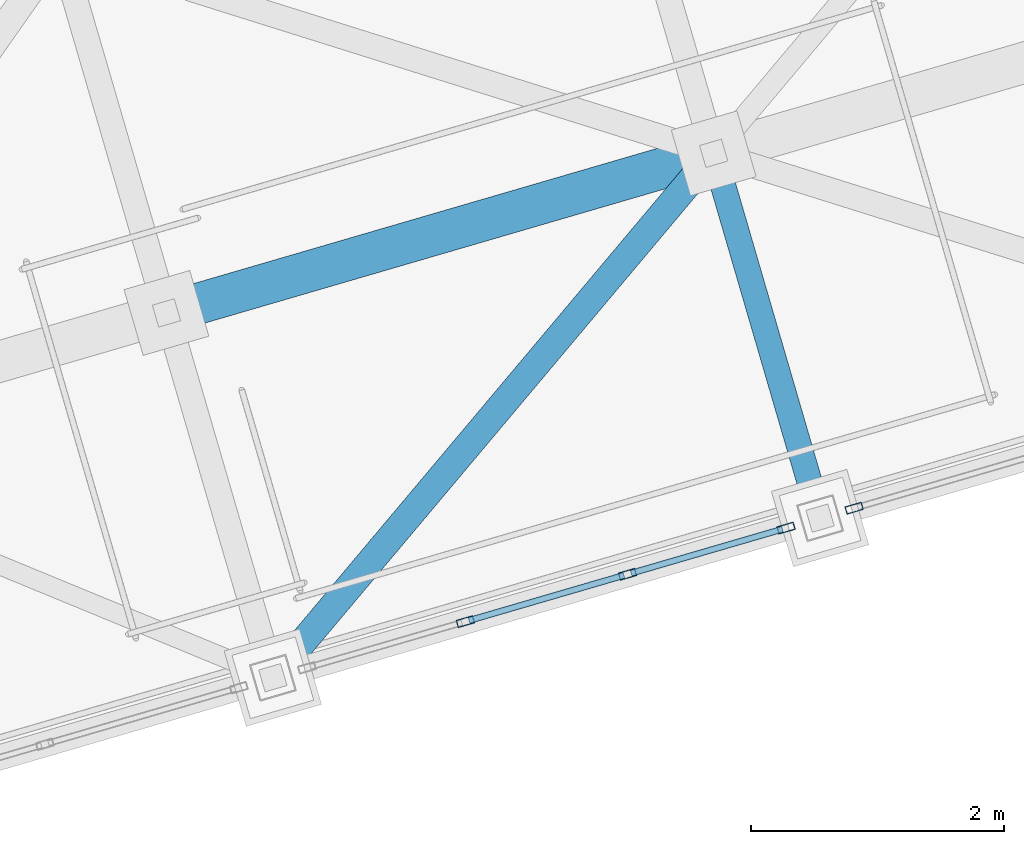
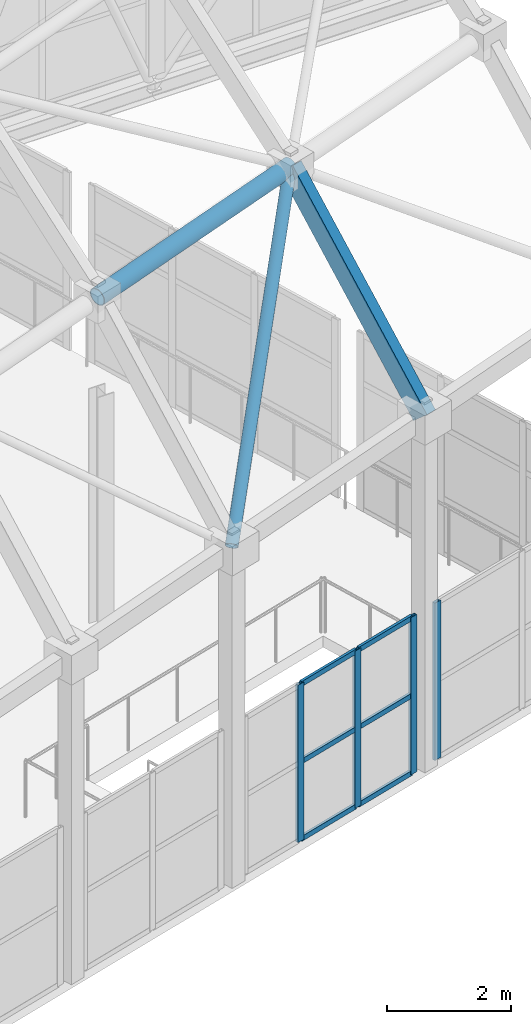
# One storey, part 69 of 248: 12 members, 1 beam, 2 elements without a shape of their own.
"""IFC4 building model written with IfcOpenShell, lengths in metres."""

from ifc_helpers import new_model, si_unit, direction, frame, origin, origin_2d, place, context, subcontext, project, spatial, hollow_rectangle, hollow_circle, extrude, material, layer, layer_set, material_profile, profile_set, type_object, element, aggregate, save


model = new_model("IFC4")

# Units and contexts
model_context = context("Model", 3, precision=1e-05, world=origin(), true_north=direction((0.0, 1.0)))
body_context = subcontext(model_context, "Body", "Model", "MODEL_VIEW")
ifc_project = project(units=[si_unit("LENGTHUNIT", "METRE"), si_unit("AREAUNIT", "SQUARE_METRE"), si_unit("VOLUMEUNIT", "CUBIC_METRE"), si_unit("PLANEANGLEUNIT", "RADIAN"), si_unit("MASSUNIT", "GRAM", prefix="KILO")], contexts=[model_context])

# Site, building, storey
site_placement = place(None, origin())
site = spatial("IfcSite", under=ifc_project, at=site_placement, CompositionType="ELEMENT")
building_placement = place(site_placement, origin())
building = spatial("IfcBuilding", under=site, at=building_placement, Name="Canggui Botanical Conservatory", CompositionType="ELEMENT")
storey_placement = place(building_placement, frame((0.0, 0.0, 5.39990234375)))
storey = spatial("IfcBuildingStorey", under=building, at=storey_placement, Name="L02", CompositionType="ELEMENT", Elevation=5.39990234375)

# Beam
ifc_material_1 = material(Name="Steel Q355C", Category="steel")
ifc_material_profile_1 = material_profile(ifc_material_1, hollow_rectangle(XDim=0.199951171875, YDim=0.39990234375, WallThickness=0.011962890625, at=origin_2d()), Name="RHS 200x400x12")
ifc_profile_set_1 = profile_set([ifc_material_profile_1], Name="Steel Q355C")
beam_type = type_object("IfcBeamType", Name="BM-GJ04", PredefinedType="BEAM", material=ifc_profile_set_1)
beam_placement = place(storey_placement, frame((67.52001953125, 55.860107421875, 6.900146484375), z_axis=(-0.183568061506, 0.629284758361, 0.755184387874), x_axis=(-0.959989061447, -0.280037500885, 0.0)))
element("IfcBeam", 1, at=beam_placement, inside=storey, type_object=beam_type, Name="Conservatory Stepped-Arch Rib GJ-14 Segment 1", PredefinedType="BEAM", context=body_context, shape_type="SweptSolid", body=[
    extrude(hollow_rectangle(XDim=0.199951171875, YDim=0.39990234375, WallThickness=0.011962890625, at=origin_2d()), origin(), (0.0, 0.0, 1.0), 4.576416015625),
])

# Curtain wall, members
ifc_material_2 = material(Name="Thermally Broken Aluminium", Category="aluminium")
ifc_layer = layer(ifc_material_2, 0.135009765625, Name="Thermally Broken Aluminium", Category="aluminium")
ifc_layer_set = layer_set([ifc_layer], Name="Thermally Broken Aluminium")
curtain_wall_type = type_object("IfcCurtainWallType", Name="CW-STICK-A", PredefinedType="USERDEFINED", material=ifc_layer_set)
curtain_wall_1_placement = place(storey_placement, origin())
curtain_wall_1 = element("IfcCurtainWall", 2, at=curtain_wall_1_placement, inside=storey, type_object=curtain_wall_type, Name="Facade Curtain Wall CW-CONS-L02-V0-13", ObjectType="STICK GLAZED WALL", PredefinedType="USERDEFINED")
ifc_material_profile_2 = material_profile(ifc_material_2, hollow_rectangle(XDim=0.06005859375, YDim=0.135009765625, WallThickness=0.00341796875, at=origin_2d()), Name="CWM 60x135x3.5")
ifc_profile_set_2 = profile_set([ifc_material_profile_2], Name="Thermally Broken Aluminium")
member_type_1 = type_object("IfcMemberType", Name="CWM-04", PredefinedType="MULLION", material=ifc_profile_set_2)
member_1_placement = place(storey_placement, frame((67.251220703125, 55.781494140625, 0.0), z_axis=(0.0, 0.0, 1.0), x_axis=(0.279999999995, -0.960000000002, 0.0)))
member_1 = element("IfcMember", 3, at=member_1_placement, type_object=member_type_1, Name="CW-04 mullion 1", PredefinedType="MULLION", context=body_context, shape_type="SweptSolid", body=[
    extrude(hollow_rectangle(XDim=0.06005859375, YDim=0.135009765625, WallThickness=0.00341796875, at=origin_2d()), origin(), (0.0, 0.0, 1.0), 3.10009765625),
])
member_2_placement = place(storey_placement, frame((66.0, 55.416748046875, 0.0), z_axis=(0.0, 0.0, 1.0), x_axis=(0.279999999995, -0.960000000002, 0.0)))
member_2 = element("IfcMember", 4, at=member_2_placement, type_object=member_type_1, Name="CW-04 mullion 2", PredefinedType="MULLION", context=body_context, shape_type="SweptSolid", body=[
    extrude(hollow_rectangle(XDim=0.06005859375, YDim=0.135009765625, WallThickness=0.00341796875, at=origin_2d()), origin(), (0.0, 0.0, 1.0), 3.10009765625),
])
member_3_placement = place(storey_placement, frame((64.719970703125, 55.043212890625, 0.0), z_axis=(0.0, 0.0, 1.0), x_axis=(0.279999999995, -0.960000000002, 0.0)))
member_3 = element("IfcMember", 5, at=member_3_placement, type_object=member_type_1, Name="CW-04 mullion 3", PredefinedType="MULLION", context=body_context, shape_type="SweptSolid", body=[
    extrude(hollow_rectangle(XDim=0.06005859375, YDim=0.135009765625, WallThickness=0.00341796875, at=origin_2d()), origin(), (0.0, 0.0, 1.0), 3.10009765625),
])

# Curtain wall, member
curtain_wall_2_placement = place(storey_placement, origin())
curtain_wall_2 = element("IfcCurtainWall", 6, at=curtain_wall_2_placement, inside=storey, type_object=curtain_wall_type, Name="Facade Curtain Wall CW-CONS-L02-V0-14", ObjectType="STICK GLAZED WALL", PredefinedType="USERDEFINED")
member_4_placement = place(storey_placement, frame((67.788818359375, 55.9384765625, 0.0), z_axis=(0.0, 0.0, 1.0), x_axis=(0.279999999995, -0.960000000002, 0.0)))
member_4 = element("IfcMember", 7, at=member_4_placement, type_object=member_type_1, Name="CW-04 mullion 3", PredefinedType="MULLION", context=body_context, shape_type="SweptSolid", body=[
    extrude(hollow_rectangle(XDim=0.06005859375, YDim=0.135009765625, WallThickness=0.00341796875, at=origin_2d()), origin(), (0.0, 0.0, 1.0), 3.10009765625),
])
aggregate(curtain_wall_2, [member_4])

# Member
ifc_material_profile_3 = material_profile(ifc_material_2, hollow_rectangle(XDim=0.050048828125, YDim=0.10009765625, WallThickness=0.0029296875, at=origin_2d()), Name="CWT 50x100x3")
ifc_profile_set_3 = profile_set([ifc_material_profile_3], Name="Thermally Broken Aluminium")
member_type_2 = type_object("IfcMemberType", Name="CWT-04", PredefinedType="USERDEFINED", material=ifc_profile_set_3)
member_5_placement = place(storey_placement, frame((67.222412109375, 55.773193359375, 0.025146484375), z_axis=(-0.959997800753, -0.280007540166, 0.0), x_axis=(0.280007540166, -0.959997800753, 0.0)))
member_5 = element("IfcMember", 8, at=member_5_placement, type_object=member_type_2, Name="CW-04 transom 1.1", ObjectType="TRANSOM", PredefinedType="USERDEFINED", context=body_context, shape_type="SweptSolid", body=[
    extrude(hollow_rectangle(XDim=0.050048828125, YDim=0.10009765625, WallThickness=0.0029296875, at=origin_2d()), origin(), (0.0, 0.0, 1.0), 1.243408203125),
])

member_6_placement = place(storey_placement, frame((67.222412109375, 55.773193359375, 1.550048828125), z_axis=(-0.959997800753, -0.280007540166, 0.0), x_axis=(0.280007540166, -0.959997800753, 0.0)))
member_6 = element("IfcMember", 9, at=member_6_placement, type_object=member_type_2, Name="CW-04 transom 1.2", ObjectType="TRANSOM", PredefinedType="USERDEFINED", context=body_context, shape_type="SweptSolid", body=[
    extrude(hollow_rectangle(XDim=0.050048828125, YDim=0.10009765625, WallThickness=0.0029296875, at=origin_2d()), origin(), (0.0, 0.0, 1.0), 1.243408203125),
])

member_7_placement = place(storey_placement, frame((67.222412109375, 55.773193359375, 3.0751953125), z_axis=(-0.959997800753, -0.280007540166, 0.0), x_axis=(0.280007540166, -0.959997800753, 0.0)))
member_7 = element("IfcMember", 10, at=member_7_placement, type_object=member_type_2, Name="CW-04 transom 1.3", ObjectType="TRANSOM", PredefinedType="USERDEFINED", context=body_context, shape_type="SweptSolid", body=[
    extrude(hollow_rectangle(XDim=0.050048828125, YDim=0.10009765625, WallThickness=0.0029296875, at=origin_2d()), origin(), (0.0, 0.0, 1.0), 1.243408203125),
])

member_8_placement = place(storey_placement, frame((65.97119140625, 55.408203125, 0.025146484375), z_axis=(-0.960019324645, -0.279933735567, 0.0), x_axis=(0.279933735567, -0.960019324645, 0.0)))
member_8 = element("IfcMember", 11, at=member_8_placement, type_object=member_type_2, Name="CW-04 transom 2.1", ObjectType="TRANSOM", PredefinedType="USERDEFINED", context=body_context, shape_type="SweptSolid", body=[
    extrude(hollow_rectangle(XDim=0.050048828125, YDim=0.10009765625, WallThickness=0.0029296875, at=origin_2d()), origin(), (0.0, 0.0, 1.0), 1.2734375),
])

member_9_placement = place(storey_placement, frame((65.97119140625, 55.408203125, 1.550048828125), z_axis=(-0.960019324645, -0.279933735567, 0.0), x_axis=(0.279933735567, -0.960019324645, 0.0)))
member_9 = element("IfcMember", 12, at=member_9_placement, type_object=member_type_2, Name="CW-04 transom 2.2", ObjectType="TRANSOM", PredefinedType="USERDEFINED", context=body_context, shape_type="SweptSolid", body=[
    extrude(hollow_rectangle(XDim=0.050048828125, YDim=0.10009765625, WallThickness=0.0029296875, at=origin_2d()), origin(), (0.0, 0.0, 1.0), 1.2734375),
])

member_10_placement = place(storey_placement, frame((65.97119140625, 55.408203125, 3.0751953125), z_axis=(-0.960019324645, -0.279933735567, 0.0), x_axis=(0.279933735567, -0.960019324645, 0.0)))
member_10 = element("IfcMember", 13, at=member_10_placement, type_object=member_type_2, Name="CW-04 transom 2.3", ObjectType="TRANSOM", PredefinedType="USERDEFINED", context=body_context, shape_type="SweptSolid", body=[
    extrude(hollow_rectangle(XDim=0.050048828125, YDim=0.10009765625, WallThickness=0.0029296875, at=origin_2d()), origin(), (0.0, 0.0, 1.0), 1.2734375),
])

aggregate(curtain_wall_1, [member_1, member_2, member_3, member_5, member_6, member_7, member_8, member_9, member_10])

# Members
ifc_material_profile_4 = material_profile(ifc_material_1, hollow_circle(Radius=0.16259765625, WallThickness=0.011962890625, at=origin_2d()), Name="CHS 325x12")
ifc_profile_set_4 = profile_set([ifc_material_profile_4], Name="Steel Q355C")
member_type_3 = type_object("IfcMemberType", Name="MEM-GSC01", PredefinedType="CHORD", material=ifc_profile_set_4)
member_11_placement = place(storey_placement, frame((62.360107421875, 57.47998046875, 10.05615234375), z_axis=(0.957869267253, 0.279392070097, 0.066532232929), x_axis=(-0.280012500437, 0.959996353951, 0.0)))
element("IfcMember", 14, at=member_11_placement, inside=storey, type_object=member_type_3, Name="Conservatory Gridshell Longitudinal Chord 13-1", PredefinedType="CHORD", context=body_context, shape_type="SweptSolid", body=[
    extrude(hollow_circle(Radius=0.16259765625, WallThickness=0.011962890625, at=origin_2d()), origin(), (0.0, 0.0, 1.0), 4.509765625),
])
ifc_material_profile_5 = material_profile(ifc_material_1, hollow_circle(Radius=0.109619140625, WallThickness=0.008056640625, at=origin_2d()), Name="CHS 219x8")
ifc_profile_set_5 = profile_set([ifc_material_profile_5], Name="Steel Q355C")
member_type_4 = type_object("IfcMemberType", Name="MEM-GSD01", PredefinedType="RAFTER", material=ifc_profile_set_5)
member_12_placement = place(storey_placement, frame((63.199951171875, 54.60009765625, 6.60009765625), z_axis=(0.528500923663, 0.628721072159, 0.570435436408), x_axis=(-0.765479825805, 0.643459894853, 0.0)))
element("IfcMember", 15, at=member_12_placement, inside=storey, type_object=member_type_4, Name="Conservatory Gridshell Diagrid Rafter 13-1", PredefinedType="RAFTER", context=body_context, shape_type="SweptSolid", body=[
    extrude(hollow_circle(Radius=0.109619140625, WallThickness=0.008056640625, at=origin_2d()), origin(), (0.0, 0.0, 1.0), 6.584716796875),
])

save(model, "model.ifc")
